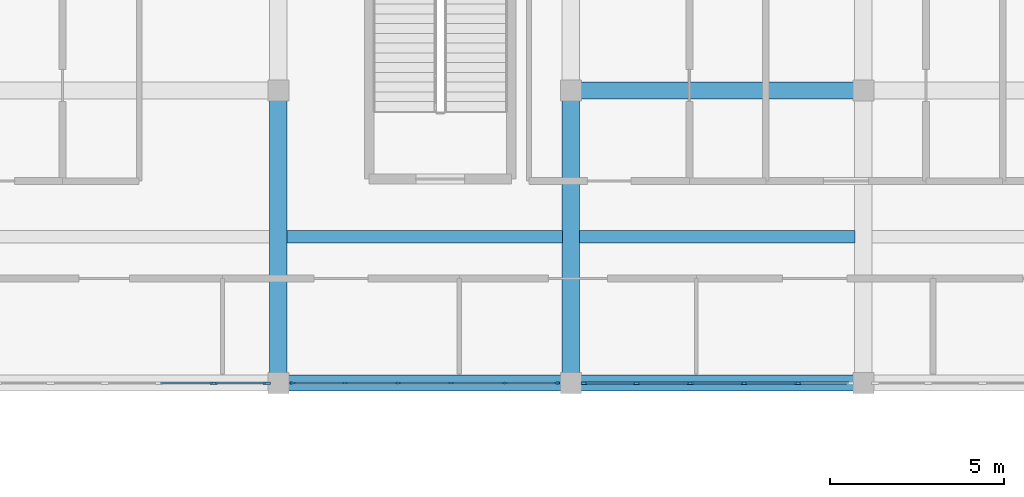
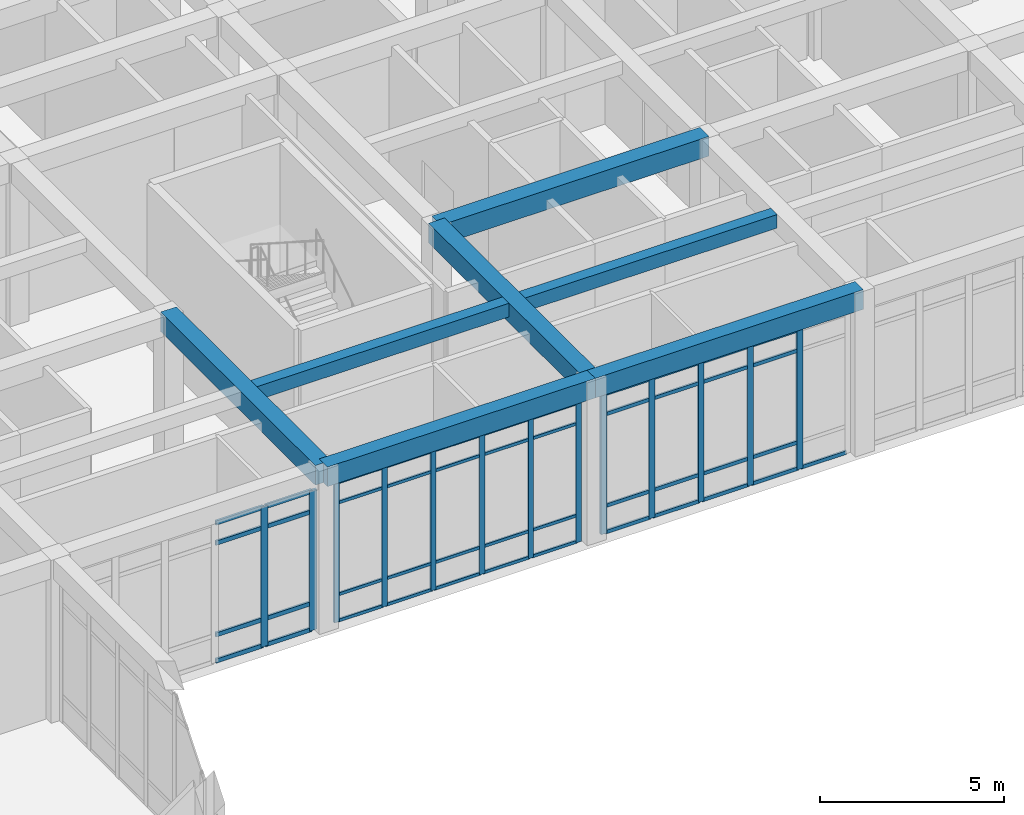
# One storey, part 20 of 89: 58 members, 7 beams, 3 elements without a shape of their own.
"""IFC4 building model written with IfcOpenShell, lengths in metres."""

from ifc_helpers import new_model, si_unit, direction, frame, origin, origin_2d, place, context, subcontext, project, spatial, rectangle, extrude, material, material_profile, profile_set, type_object, element, aggregate, save


model = new_model("IFC4")

# Units and contexts
model_context = context("Model", 3, precision=1e-05, world=origin(), true_north=direction((0.0, 1.0)))
body_context = subcontext(model_context, "Body", "Model", "MODEL_VIEW")
ifc_project = project(units=[si_unit("LENGTHUNIT", "METRE"), si_unit("AREAUNIT", "SQUARE_METRE"), si_unit("VOLUMEUNIT", "CUBIC_METRE"), si_unit("PLANEANGLEUNIT", "RADIAN"), si_unit("MASSUNIT", "GRAM", prefix="KILO")], contexts=[model_context])

# Site, building, storey
site_placement = place(None, origin())
site = spatial("IfcSite", under=ifc_project, at=site_placement, CompositionType="ELEMENT")
building_placement = place(site_placement, origin())
building = spatial("IfcBuilding", under=site, at=building_placement, Name="Varncliffe General Hospital", CompositionType="ELEMENT")
storey_placement = place(building_placement, frame((0.0, 0.0, 10.800048828125)))
storey = spatial("IfcBuildingStorey", under=building, at=storey_placement, Name="L02", CompositionType="ELEMENT", Elevation=10.800048828125)

# Beams
ifc_material_1 = material(Name="Concrete C35/45 (CSA A23.1 35 MPa)", Category="concrete")
ifc_material_profile_1 = material_profile(ifc_material_1, rectangle(XDim=0.5, YDim=0.64990234375, at=origin_2d()), Name="RC 500x650")
ifc_profile_set_1 = profile_set([ifc_material_profile_1], Name="Concrete C35/45 (CSA A23.1 35 MPa)")
beam_type_1 = type_object("IfcBeamType", Name="Beam B29 (Int RC 500x650)", PredefinedType="BEAM", material=ifc_profile_set_1)
for number, where, z_axis, x_axis, name in (
    (1, (42.0, 91.199951171875, 5.074951171875), (1.0, 0.0, 0.0), (0.0, 1.0, 0.0), "L02 Primary Beam B29-118"),
    (2, (33.60009765625, 82.800048828125, 5.074951171875), (0.0, 1.0, 0.0), (-1.0, 0.0, 0.0), "L02 Primary Beam B29-287"),
    (3, (42.0, 82.800048828125, 5.074951171875), (0.0, 1.0, 0.0), (-1.0, 0.0, 0.0), "L02 Primary Beam B29-294"),
):
    element("IfcBeam", number, at=place(storey_placement, frame(where, z_axis=z_axis, x_axis=x_axis)), inside=storey, type_object=beam_type_1, Name=name, PredefinedType="BEAM", context=body_context, shape_type="SweptSolid", body=[
        extrude(rectangle(XDim=0.5, YDim=0.64990234375, at=origin_2d()), origin(), (0.0, 0.0, 1.0), 8.39990234375),
    ])

# Curtain wall, members
ifc_material_2 = material(Name="Triple low-E argon insulated vision glazing", Category="glass")
curtain_wall_type_1 = type_object("IfcCurtainWallType", Name="Unitised Glazed Curtain Wall CW70 (7724x4640)", PredefinedType="USERDEFINED", material=ifc_material_2)
curtain_wall_1_placement = place(storey_placement, origin())
curtain_wall_1 = element("IfcCurtainWall", 4, at=curtain_wall_1_placement, inside=storey, type_object=curtain_wall_type_1, Name="L02 Glazed Curtain Wall CW70-145", ObjectType="GLAZED CURTAIN WALL", PredefinedType="USERDEFINED")
ifc_material_3 = material(Name="Dark bronze thermally broken aluminium framing", Category="aluminium")
ifc_material_profile_2 = material_profile(ifc_material_3, rectangle(XDim=0.074951171875, YDim=0.179931640625, at=origin_2d()), Name="ALU 75x180")
ifc_profile_set_2 = profile_set([ifc_material_profile_2], Name="Dark bronze thermally broken aluminium framing")
member_type_1 = type_object("IfcMemberType", Name="Curtain Wall Mullion CM44 (ALU 75x180)", PredefinedType="MULLION", material=ifc_profile_set_2)
member_1_placement = place(storey_placement, frame((48.51708984375, 82.800048828125, 0.0), z_axis=(0.0, 0.0, 1.0), x_axis=(0.0, -1.0, 0.0)))
member_1 = element("IfcMember", 5, at=member_1_placement, type_object=member_type_1, Name="CW70 mullion 2", PredefinedType="MULLION", context=body_context, shape_type="SweptSolid", body=[
    extrude(rectangle(XDim=0.074951171875, YDim=0.179931640625, at=origin_2d()), origin(), (0.0, 0.0, 1.0), 4.639892578125),
])
member_2_placement = place(storey_placement, frame((46.972412109375, 82.800048828125, 0.0), z_axis=(0.0, 0.0, 1.0), x_axis=(0.0, -1.0, 0.0)))
member_2 = element("IfcMember", 6, at=member_2_placement, type_object=member_type_1, Name="CW70 mullion 3", PredefinedType="MULLION", context=body_context, shape_type="SweptSolid", body=[
    extrude(rectangle(XDim=0.074951171875, YDim=0.179931640625, at=origin_2d()), origin(), (0.0, 0.0, 1.0), 4.639892578125),
])
member_3_placement = place(storey_placement, frame((45.427490234375, 82.800048828125, 0.0), z_axis=(0.0, 0.0, 1.0), x_axis=(0.0, -1.0, 0.0)))
member_3 = element("IfcMember", 7, at=member_3_placement, type_object=member_type_1, Name="CW70 mullion 4", PredefinedType="MULLION", context=body_context, shape_type="SweptSolid", body=[
    extrude(rectangle(XDim=0.074951171875, YDim=0.179931640625, at=origin_2d()), origin(), (0.0, 0.0, 1.0), 4.639892578125),
])
member_4_placement = place(storey_placement, frame((43.8828125, 82.800048828125, 0.0), z_axis=(0.0, 0.0, 1.0), x_axis=(0.0, -1.0, 0.0)))
member_4 = element("IfcMember", 8, at=member_4_placement, type_object=member_type_1, Name="CW70 mullion 5", PredefinedType="MULLION", context=body_context, shape_type="SweptSolid", body=[
    extrude(rectangle(XDim=0.074951171875, YDim=0.179931640625, at=origin_2d()), origin(), (0.0, 0.0, 1.0), 4.639892578125),
])
member_5_placement = place(storey_placement, frame((42.37548828125, 82.800048828125, 0.0), z_axis=(0.0, 0.0, 1.0), x_axis=(0.0, -1.0, 0.0)))
member_5 = element("IfcMember", 9, at=member_5_placement, type_object=member_type_1, Name="CW70 mullion 6", PredefinedType="MULLION", context=body_context, shape_type="SweptSolid", body=[
    extrude(rectangle(XDim=0.074951171875, YDim=0.179931640625, at=origin_2d()), origin(), (0.0, 0.0, 1.0), 4.639892578125),
])

curtain_wall_type_2 = type_object("IfcCurtainWallType", Name="Unitised Glazed Curtain Wall CW27 (7644x4640)", PredefinedType="USERDEFINED", material=ifc_material_2)
curtain_wall_2_placement = place(storey_placement, origin())
curtain_wall_2 = element("IfcCurtainWall", 10, at=curtain_wall_2_placement, inside=storey, type_object=curtain_wall_type_2, Name="L02 Glazed Curtain Wall CW27-146", ObjectType="GLAZED CURTAIN WALL", PredefinedType="USERDEFINED")
ifc_material_profile_3 = material_profile(ifc_material_3, rectangle(XDim=0.06494140625, YDim=0.159912109375, at=origin_2d()), Name="ALU 65x160")
ifc_profile_set_3 = profile_set([ifc_material_profile_3], Name="Dark bronze thermally broken aluminium framing")
member_type_2 = type_object("IfcMemberType", Name="Curtain Wall Mullion CM65 (ALU 65x160)", PredefinedType="MULLION", material=ifc_profile_set_3)
member_6_placement = place(storey_placement, frame((41.589599609375, 82.800048828125, 0.0), z_axis=(0.0, 0.0, 1.0), x_axis=(0.0, -1.0, 0.0)))
member_6 = element("IfcMember", 11, at=member_6_placement, type_object=member_type_2, Name="CW27 mullion 1", PredefinedType="MULLION", context=body_context, shape_type="SweptSolid", body=[
    extrude(rectangle(XDim=0.06494140625, YDim=0.159912109375, at=origin_2d()), origin(), (0.0, 0.0, 1.0), 4.639892578125),
])
member_7_placement = place(storey_placement, frame((40.09326171875, 82.800048828125, 0.0), z_axis=(0.0, 0.0, 1.0), x_axis=(0.0, -1.0, 0.0)))
member_7 = element("IfcMember", 12, at=member_7_placement, type_object=member_type_2, Name="CW27 mullion 2", PredefinedType="MULLION", context=body_context, shape_type="SweptSolid", body=[
    extrude(rectangle(XDim=0.06494140625, YDim=0.159912109375, at=origin_2d()), origin(), (0.0, 0.0, 1.0), 4.639892578125),
])
member_8_placement = place(storey_placement, frame((38.564453125, 82.800048828125, 0.0), z_axis=(0.0, 0.0, 1.0), x_axis=(0.0, -1.0, 0.0)))
member_8 = element("IfcMember", 13, at=member_8_placement, type_object=member_type_2, Name="CW27 mullion 3", PredefinedType="MULLION", context=body_context, shape_type="SweptSolid", body=[
    extrude(rectangle(XDim=0.06494140625, YDim=0.159912109375, at=origin_2d()), origin(), (0.0, 0.0, 1.0), 4.639892578125),
])
member_9_placement = place(storey_placement, frame((37.03564453125, 82.800048828125, 0.0), z_axis=(0.0, 0.0, 1.0), x_axis=(0.0, -1.0, 0.0)))
member_9 = element("IfcMember", 14, at=member_9_placement, type_object=member_type_2, Name="CW27 mullion 4", PredefinedType="MULLION", context=body_context, shape_type="SweptSolid", body=[
    extrude(rectangle(XDim=0.06494140625, YDim=0.159912109375, at=origin_2d()), origin(), (0.0, 0.0, 1.0), 4.639892578125),
])
member_10_placement = place(storey_placement, frame((35.5068359375, 82.800048828125, 0.0), z_axis=(0.0, 0.0, 1.0), x_axis=(0.0, -1.0, 0.0)))
member_10 = element("IfcMember", 15, at=member_10_placement, type_object=member_type_2, Name="CW27 mullion 5", PredefinedType="MULLION", context=body_context, shape_type="SweptSolid", body=[
    extrude(rectangle(XDim=0.06494140625, YDim=0.159912109375, at=origin_2d()), origin(), (0.0, 0.0, 1.0), 4.639892578125),
])
member_11_placement = place(storey_placement, frame((34.010498046875, 82.800048828125, 0.0), z_axis=(0.0, 0.0, 1.0), x_axis=(0.0, -1.0, 0.0)))
member_11 = element("IfcMember", 16, at=member_11_placement, type_object=member_type_2, Name="CW27 mullion 6", PredefinedType="MULLION", context=body_context, shape_type="SweptSolid", body=[
    extrude(rectangle(XDim=0.06494140625, YDim=0.159912109375, at=origin_2d()), origin(), (0.0, 0.0, 1.0), 4.639892578125),
])

curtain_wall_type_3 = type_object("IfcCurtainWallType", Name="Unitised Glazed Curtain Wall CW85 (7804x4640)", PredefinedType="USERDEFINED", material=ifc_material_2)
curtain_wall_3_placement = place(storey_placement, origin())
curtain_wall_3 = element("IfcCurtainWall", 17, at=curtain_wall_3_placement, inside=storey, type_object=curtain_wall_type_3, Name="L02 Glazed Curtain Wall CW85-147", ObjectType="GLAZED CURTAIN WALL", PredefinedType="USERDEFINED")
ifc_material_profile_4 = material_profile(ifc_material_3, rectangle(XDim=0.074951171875, YDim=0.219970703125, at=origin_2d()), Name="ALU 75x220")
ifc_profile_set_4 = profile_set([ifc_material_profile_4], Name="Dark bronze thermally broken aluminium framing")
member_type_3 = type_object("IfcMemberType", Name="Curtain Wall Mullion CM74 (ALU 75x220)", PredefinedType="MULLION", material=ifc_profile_set_4)
member_12_placement = place(storey_placement, frame((33.264404296875, 82.800048828125, 0.0), z_axis=(0.0, 0.0, 1.0), x_axis=(0.0, -1.0, 0.0)))
member_12 = element("IfcMember", 18, at=member_12_placement, type_object=member_type_3, Name="CW85 mullion 1", PredefinedType="MULLION", context=body_context, shape_type="SweptSolid", body=[
    extrude(rectangle(XDim=0.074951171875, YDim=0.219970703125, at=origin_2d()), origin(), (0.0, 0.0, 1.0), 4.639892578125),
])
member_13_placement = place(storey_placement, frame((31.7412109375, 82.800048828125, 0.0), z_axis=(0.0, 0.0, 1.0), x_axis=(0.0, -1.0, 0.0)))
member_13 = element("IfcMember", 19, at=member_13_placement, type_object=member_type_3, Name="CW85 mullion 2", PredefinedType="MULLION", context=body_context, shape_type="SweptSolid", body=[
    extrude(rectangle(XDim=0.074951171875, YDim=0.219970703125, at=origin_2d()), origin(), (0.0, 0.0, 1.0), 4.639892578125),
])

# Member
ifc_material_profile_5 = material_profile(ifc_material_3, rectangle(XDim=0.06005859375, YDim=0.1201171875, at=origin_2d()), Name="ALU 60x120")
ifc_profile_set_5 = profile_set([ifc_material_profile_5], Name="Dark bronze thermally broken aluminium framing")
member_type_4 = type_object("IfcMemberType", Name="Curtain Wall Transom CT14 (ALU 60x120)", PredefinedType="USERDEFINED", material=ifc_profile_set_5)
member_14_placement = place(storey_placement, frame((49.987060546875, 82.800048828125, 0.030029296875), z_axis=(-1.0, 0.0, 0.0), x_axis=(0.0, -1.0, 0.0)))
member_14 = element("IfcMember", 20, at=member_14_placement, type_object=member_type_4, Name="CW70 transom 1.1", ObjectType="TRANSOM", PredefinedType="USERDEFINED", context=body_context, shape_type="SweptSolid", body=[
    extrude(rectangle(XDim=0.06005859375, YDim=0.1201171875, at=origin_2d()), origin(), (0.0, 0.0, 1.0), 1.432373046875),
])

member_15_placement = place(storey_placement, frame((48.479736328125, 82.800048828125, 0.030029296875), z_axis=(-1.0, 0.0, 0.0), x_axis=(0.0, -1.0, 0.0)))
member_15 = element("IfcMember", 21, at=member_15_placement, type_object=member_type_4, Name="CW70 transom 2.1", ObjectType="TRANSOM", PredefinedType="USERDEFINED", context=body_context, shape_type="SweptSolid", body=[
    extrude(rectangle(XDim=0.06005859375, YDim=0.1201171875, at=origin_2d()), origin(), (0.0, 0.0, 1.0), 1.4697265625),
])

member_16_placement = place(storey_placement, frame((48.479736328125, 82.800048828125, 0.89990234375), z_axis=(-1.0, 0.0, 0.0), x_axis=(0.0, -1.0, 0.0)))
member_16 = element("IfcMember", 22, at=member_16_placement, type_object=member_type_4, Name="CW70 transom 2.2", ObjectType="TRANSOM", PredefinedType="USERDEFINED", context=body_context, shape_type="SweptSolid", body=[
    extrude(rectangle(XDim=0.06005859375, YDim=0.1201171875, at=origin_2d()), origin(), (0.0, 0.0, 1.0), 1.4697265625),
])

member_17_placement = place(storey_placement, frame((48.479736328125, 82.800048828125, 3.93994140625), z_axis=(-1.0, 0.0, 0.0), x_axis=(0.0, -1.0, 0.0)))
member_17 = element("IfcMember", 23, at=member_17_placement, type_object=member_type_4, Name="CW70 transom 2.3", ObjectType="TRANSOM", PredefinedType="USERDEFINED", context=body_context, shape_type="SweptSolid", body=[
    extrude(rectangle(XDim=0.06005859375, YDim=0.1201171875, at=origin_2d()), origin(), (0.0, 0.0, 1.0), 1.4697265625),
])

member_18_placement = place(storey_placement, frame((48.479736328125, 82.800048828125, 4.60986328125), z_axis=(-1.0, 0.0, 0.0), x_axis=(0.0, -1.0, 0.0)))
member_18 = element("IfcMember", 24, at=member_18_placement, type_object=member_type_4, Name="CW70 transom 2.4", ObjectType="TRANSOM", PredefinedType="USERDEFINED", context=body_context, shape_type="SweptSolid", body=[
    extrude(rectangle(XDim=0.06005859375, YDim=0.1201171875, at=origin_2d()), origin(), (0.0, 0.0, 1.0), 1.4697265625),
])

member_19_placement = place(storey_placement, frame((46.934814453125, 82.800048828125, 0.030029296875), z_axis=(-1.0, 0.0, 0.0), x_axis=(0.0, -1.0, 0.0)))
member_19 = element("IfcMember", 25, at=member_19_placement, type_object=member_type_4, Name="CW70 transom 3.1", ObjectType="TRANSOM", PredefinedType="USERDEFINED", context=body_context, shape_type="SweptSolid", body=[
    extrude(rectangle(XDim=0.06005859375, YDim=0.1201171875, at=origin_2d()), origin(), (0.0, 0.0, 1.0), 1.4697265625),
])

member_20_placement = place(storey_placement, frame((46.934814453125, 82.800048828125, 0.89990234375), z_axis=(-1.0, 0.0, 0.0), x_axis=(0.0, -1.0, 0.0)))
member_20 = element("IfcMember", 26, at=member_20_placement, type_object=member_type_4, Name="CW70 transom 3.2", ObjectType="TRANSOM", PredefinedType="USERDEFINED", context=body_context, shape_type="SweptSolid", body=[
    extrude(rectangle(XDim=0.06005859375, YDim=0.1201171875, at=origin_2d()), origin(), (0.0, 0.0, 1.0), 1.4697265625),
])

member_21_placement = place(storey_placement, frame((46.934814453125, 82.800048828125, 3.93994140625), z_axis=(-1.0, 0.0, 0.0), x_axis=(0.0, -1.0, 0.0)))
member_21 = element("IfcMember", 27, at=member_21_placement, type_object=member_type_4, Name="CW70 transom 3.3", ObjectType="TRANSOM", PredefinedType="USERDEFINED", context=body_context, shape_type="SweptSolid", body=[
    extrude(rectangle(XDim=0.06005859375, YDim=0.1201171875, at=origin_2d()), origin(), (0.0, 0.0, 1.0), 1.4697265625),
])

member_22_placement = place(storey_placement, frame((46.934814453125, 82.800048828125, 4.60986328125), z_axis=(-1.0, 0.0, 0.0), x_axis=(0.0, -1.0, 0.0)))
member_22 = element("IfcMember", 28, at=member_22_placement, type_object=member_type_4, Name="CW70 transom 3.4", ObjectType="TRANSOM", PredefinedType="USERDEFINED", context=body_context, shape_type="SweptSolid", body=[
    extrude(rectangle(XDim=0.06005859375, YDim=0.1201171875, at=origin_2d()), origin(), (0.0, 0.0, 1.0), 1.4697265625),
])

member_23_placement = place(storey_placement, frame((45.39013671875, 82.800048828125, 0.030029296875), z_axis=(-1.0, 0.0, 0.0), x_axis=(0.0, -1.0, 0.0)))
member_23 = element("IfcMember", 29, at=member_23_placement, type_object=member_type_4, Name="CW70 transom 4.1", ObjectType="TRANSOM", PredefinedType="USERDEFINED", context=body_context, shape_type="SweptSolid", body=[
    extrude(rectangle(XDim=0.06005859375, YDim=0.1201171875, at=origin_2d()), origin(), (0.0, 0.0, 1.0), 1.4697265625),
])

member_24_placement = place(storey_placement, frame((45.39013671875, 82.800048828125, 0.89990234375), z_axis=(-1.0, 0.0, 0.0), x_axis=(0.0, -1.0, 0.0)))
member_24 = element("IfcMember", 30, at=member_24_placement, type_object=member_type_4, Name="CW70 transom 4.2", ObjectType="TRANSOM", PredefinedType="USERDEFINED", context=body_context, shape_type="SweptSolid", body=[
    extrude(rectangle(XDim=0.06005859375, YDim=0.1201171875, at=origin_2d()), origin(), (0.0, 0.0, 1.0), 1.4697265625),
])

member_25_placement = place(storey_placement, frame((45.39013671875, 82.800048828125, 3.93994140625), z_axis=(-1.0, 0.0, 0.0), x_axis=(0.0, -1.0, 0.0)))
member_25 = element("IfcMember", 31, at=member_25_placement, type_object=member_type_4, Name="CW70 transom 4.3", ObjectType="TRANSOM", PredefinedType="USERDEFINED", context=body_context, shape_type="SweptSolid", body=[
    extrude(rectangle(XDim=0.06005859375, YDim=0.1201171875, at=origin_2d()), origin(), (0.0, 0.0, 1.0), 1.4697265625),
])

member_26_placement = place(storey_placement, frame((45.39013671875, 82.800048828125, 4.60986328125), z_axis=(-1.0, 0.0, 0.0), x_axis=(0.0, -1.0, 0.0)))
member_26 = element("IfcMember", 32, at=member_26_placement, type_object=member_type_4, Name="CW70 transom 4.4", ObjectType="TRANSOM", PredefinedType="USERDEFINED", context=body_context, shape_type="SweptSolid", body=[
    extrude(rectangle(XDim=0.06005859375, YDim=0.1201171875, at=origin_2d()), origin(), (0.0, 0.0, 1.0), 1.4697265625),
])

member_27_placement = place(storey_placement, frame((43.84521484375, 82.800048828125, 0.030029296875), z_axis=(-1.0, 0.0, 0.0), x_axis=(0.0, -1.0, 0.0)))
member_27 = element("IfcMember", 33, at=member_27_placement, type_object=member_type_4, Name="CW70 transom 5.1", ObjectType="TRANSOM", PredefinedType="USERDEFINED", context=body_context, shape_type="SweptSolid", body=[
    extrude(rectangle(XDim=0.06005859375, YDim=0.1201171875, at=origin_2d()), origin(), (0.0, 0.0, 1.0), 1.43212890625),
])

member_28_placement = place(storey_placement, frame((43.84521484375, 82.800048828125, 0.89990234375), z_axis=(-1.0, 0.0, 0.0), x_axis=(0.0, -1.0, 0.0)))
member_28 = element("IfcMember", 34, at=member_28_placement, type_object=member_type_4, Name="CW70 transom 5.2", ObjectType="TRANSOM", PredefinedType="USERDEFINED", context=body_context, shape_type="SweptSolid", body=[
    extrude(rectangle(XDim=0.06005859375, YDim=0.1201171875, at=origin_2d()), origin(), (0.0, 0.0, 1.0), 1.43212890625),
])

member_29_placement = place(storey_placement, frame((43.84521484375, 82.800048828125, 3.93994140625), z_axis=(-1.0, 0.0, 0.0), x_axis=(0.0, -1.0, 0.0)))
member_29 = element("IfcMember", 35, at=member_29_placement, type_object=member_type_4, Name="CW70 transom 5.3", ObjectType="TRANSOM", PredefinedType="USERDEFINED", context=body_context, shape_type="SweptSolid", body=[
    extrude(rectangle(XDim=0.06005859375, YDim=0.1201171875, at=origin_2d()), origin(), (0.0, 0.0, 1.0), 1.43212890625),
])

member_30_placement = place(storey_placement, frame((43.84521484375, 82.800048828125, 4.60986328125), z_axis=(-1.0, 0.0, 0.0), x_axis=(0.0, -1.0, 0.0)))
member_30 = element("IfcMember", 36, at=member_30_placement, type_object=member_type_4, Name="CW70 transom 5.4", ObjectType="TRANSOM", PredefinedType="USERDEFINED", context=body_context, shape_type="SweptSolid", body=[
    extrude(rectangle(XDim=0.06005859375, YDim=0.1201171875, at=origin_2d()), origin(), (0.0, 0.0, 1.0), 1.43212890625),
])

aggregate(curtain_wall_1, [member_1, member_2, member_3, member_4, member_5, member_14, member_15, member_16, member_17, member_18, member_19, member_20, member_21, member_22, member_23, member_24, member_25, member_26, member_27, member_28, member_29, member_30])

ifc_material_profile_6 = material_profile(ifc_material_3, rectangle(XDim=0.06005859375, YDim=0.10009765625, at=origin_2d()), Name="ALU 60x100")
ifc_profile_set_6 = profile_set([ifc_material_profile_6], Name="Dark bronze thermally broken aluminium framing")
member_type_5 = type_object("IfcMemberType", Name="Curtain Wall Transom CT18 (ALU 60x100)", PredefinedType="USERDEFINED", material=ifc_profile_set_6)
member_31_placement = place(storey_placement, frame((41.556884765625, 82.800048828125, 0.030029296875), z_axis=(-1.0, 0.0, 0.0), x_axis=(0.0, -1.0, 0.0)))
member_31 = element("IfcMember", 37, at=member_31_placement, type_object=member_type_5, Name="CW27 transom 1.1", ObjectType="TRANSOM", PredefinedType="USERDEFINED", context=body_context, shape_type="SweptSolid", body=[
    extrude(rectangle(XDim=0.06005859375, YDim=0.10009765625, at=origin_2d()), origin(), (0.0, 0.0, 1.0), 1.43115234375),
])

member_32_placement = place(storey_placement, frame((41.556884765625, 82.800048828125, 0.89990234375), z_axis=(-1.0, 0.0, 0.0), x_axis=(0.0, -1.0, 0.0)))
member_32 = element("IfcMember", 38, at=member_32_placement, type_object=member_type_5, Name="CW27 transom 1.2", ObjectType="TRANSOM", PredefinedType="USERDEFINED", context=body_context, shape_type="SweptSolid", body=[
    extrude(rectangle(XDim=0.06005859375, YDim=0.10009765625, at=origin_2d()), origin(), (0.0, 0.0, 1.0), 1.43115234375),
])

member_33_placement = place(storey_placement, frame((41.556884765625, 82.800048828125, 3.93994140625), z_axis=(-1.0, 0.0, 0.0), x_axis=(0.0, -1.0, 0.0)))
member_33 = element("IfcMember", 39, at=member_33_placement, type_object=member_type_5, Name="CW27 transom 1.3", ObjectType="TRANSOM", PredefinedType="USERDEFINED", context=body_context, shape_type="SweptSolid", body=[
    extrude(rectangle(XDim=0.06005859375, YDim=0.10009765625, at=origin_2d()), origin(), (0.0, 0.0, 1.0), 1.43115234375),
])

member_34_placement = place(storey_placement, frame((41.556884765625, 82.800048828125, 4.60986328125), z_axis=(-1.0, 0.0, 0.0), x_axis=(0.0, -1.0, 0.0)))
member_34 = element("IfcMember", 40, at=member_34_placement, type_object=member_type_5, Name="CW27 transom 1.4", ObjectType="TRANSOM", PredefinedType="USERDEFINED", context=body_context, shape_type="SweptSolid", body=[
    extrude(rectangle(XDim=0.06005859375, YDim=0.10009765625, at=origin_2d()), origin(), (0.0, 0.0, 1.0), 1.43115234375),
])

member_35_placement = place(storey_placement, frame((40.060791015625, 82.800048828125, 0.030029296875), z_axis=(-1.0, 0.0, 0.0), x_axis=(0.0, -1.0, 0.0)))
member_35 = element("IfcMember", 41, at=member_35_placement, type_object=member_type_5, Name="CW27 transom 2.1", ObjectType="TRANSOM", PredefinedType="USERDEFINED", context=body_context, shape_type="SweptSolid", body=[
    extrude(rectangle(XDim=0.06005859375, YDim=0.10009765625, at=origin_2d()), origin(), (0.0, 0.0, 1.0), 1.4638671875),
])

member_36_placement = place(storey_placement, frame((40.060791015625, 82.800048828125, 0.89990234375), z_axis=(-1.0, 0.0, 0.0), x_axis=(0.0, -1.0, 0.0)))
member_36 = element("IfcMember", 42, at=member_36_placement, type_object=member_type_5, Name="CW27 transom 2.2", ObjectType="TRANSOM", PredefinedType="USERDEFINED", context=body_context, shape_type="SweptSolid", body=[
    extrude(rectangle(XDim=0.06005859375, YDim=0.10009765625, at=origin_2d()), origin(), (0.0, 0.0, 1.0), 1.4638671875),
])

member_37_placement = place(storey_placement, frame((40.060791015625, 82.800048828125, 3.93994140625), z_axis=(-1.0, 0.0, 0.0), x_axis=(0.0, -1.0, 0.0)))
member_37 = element("IfcMember", 43, at=member_37_placement, type_object=member_type_5, Name="CW27 transom 2.3", ObjectType="TRANSOM", PredefinedType="USERDEFINED", context=body_context, shape_type="SweptSolid", body=[
    extrude(rectangle(XDim=0.06005859375, YDim=0.10009765625, at=origin_2d()), origin(), (0.0, 0.0, 1.0), 1.4638671875),
])

member_38_placement = place(storey_placement, frame((40.060791015625, 82.800048828125, 4.60986328125), z_axis=(-1.0, 0.0, 0.0), x_axis=(0.0, -1.0, 0.0)))
member_38 = element("IfcMember", 44, at=member_38_placement, type_object=member_type_5, Name="CW27 transom 2.4", ObjectType="TRANSOM", PredefinedType="USERDEFINED", context=body_context, shape_type="SweptSolid", body=[
    extrude(rectangle(XDim=0.06005859375, YDim=0.10009765625, at=origin_2d()), origin(), (0.0, 0.0, 1.0), 1.4638671875),
])

member_39_placement = place(storey_placement, frame((38.531982421875, 82.800048828125, 0.030029296875), z_axis=(-1.0, 0.0, 0.0), x_axis=(0.0, -1.0, 0.0)))
member_39 = element("IfcMember", 45, at=member_39_placement, type_object=member_type_5, Name="CW27 transom 3.1", ObjectType="TRANSOM", PredefinedType="USERDEFINED", context=body_context, shape_type="SweptSolid", body=[
    extrude(rectangle(XDim=0.06005859375, YDim=0.10009765625, at=origin_2d()), origin(), (0.0, 0.0, 1.0), 1.4638671875),
])

member_40_placement = place(storey_placement, frame((38.531982421875, 82.800048828125, 0.89990234375), z_axis=(-1.0, 0.0, 0.0), x_axis=(0.0, -1.0, 0.0)))
member_40 = element("IfcMember", 46, at=member_40_placement, type_object=member_type_5, Name="CW27 transom 3.2", ObjectType="TRANSOM", PredefinedType="USERDEFINED", context=body_context, shape_type="SweptSolid", body=[
    extrude(rectangle(XDim=0.06005859375, YDim=0.10009765625, at=origin_2d()), origin(), (0.0, 0.0, 1.0), 1.4638671875),
])

member_41_placement = place(storey_placement, frame((38.531982421875, 82.800048828125, 3.93994140625), z_axis=(-1.0, 0.0, 0.0), x_axis=(0.0, -1.0, 0.0)))
member_41 = element("IfcMember", 47, at=member_41_placement, type_object=member_type_5, Name="CW27 transom 3.3", ObjectType="TRANSOM", PredefinedType="USERDEFINED", context=body_context, shape_type="SweptSolid", body=[
    extrude(rectangle(XDim=0.06005859375, YDim=0.10009765625, at=origin_2d()), origin(), (0.0, 0.0, 1.0), 1.4638671875),
])

member_42_placement = place(storey_placement, frame((38.531982421875, 82.800048828125, 4.60986328125), z_axis=(-1.0, 0.0, 0.0), x_axis=(0.0, -1.0, 0.0)))
member_42 = element("IfcMember", 48, at=member_42_placement, type_object=member_type_5, Name="CW27 transom 3.4", ObjectType="TRANSOM", PredefinedType="USERDEFINED", context=body_context, shape_type="SweptSolid", body=[
    extrude(rectangle(XDim=0.06005859375, YDim=0.10009765625, at=origin_2d()), origin(), (0.0, 0.0, 1.0), 1.4638671875),
])

member_43_placement = place(storey_placement, frame((37.003173828125, 82.800048828125, 0.030029296875), z_axis=(-1.0, 0.0, 0.0), x_axis=(0.0, -1.0, 0.0)))
member_43 = element("IfcMember", 49, at=member_43_placement, type_object=member_type_5, Name="CW27 transom 4.1", ObjectType="TRANSOM", PredefinedType="USERDEFINED", context=body_context, shape_type="SweptSolid", body=[
    extrude(rectangle(XDim=0.06005859375, YDim=0.10009765625, at=origin_2d()), origin(), (0.0, 0.0, 1.0), 1.4638671875),
])

member_44_placement = place(storey_placement, frame((37.003173828125, 82.800048828125, 0.89990234375), z_axis=(-1.0, 0.0, 0.0), x_axis=(0.0, -1.0, 0.0)))
member_44 = element("IfcMember", 50, at=member_44_placement, type_object=member_type_5, Name="CW27 transom 4.2", ObjectType="TRANSOM", PredefinedType="USERDEFINED", context=body_context, shape_type="SweptSolid", body=[
    extrude(rectangle(XDim=0.06005859375, YDim=0.10009765625, at=origin_2d()), origin(), (0.0, 0.0, 1.0), 1.4638671875),
])

member_45_placement = place(storey_placement, frame((37.003173828125, 82.800048828125, 3.93994140625), z_axis=(-1.0, 0.0, 0.0), x_axis=(0.0, -1.0, 0.0)))
member_45 = element("IfcMember", 51, at=member_45_placement, type_object=member_type_5, Name="CW27 transom 4.3", ObjectType="TRANSOM", PredefinedType="USERDEFINED", context=body_context, shape_type="SweptSolid", body=[
    extrude(rectangle(XDim=0.06005859375, YDim=0.10009765625, at=origin_2d()), origin(), (0.0, 0.0, 1.0), 1.4638671875),
])

member_46_placement = place(storey_placement, frame((37.003173828125, 82.800048828125, 4.60986328125), z_axis=(-1.0, 0.0, 0.0), x_axis=(0.0, -1.0, 0.0)))
member_46 = element("IfcMember", 52, at=member_46_placement, type_object=member_type_5, Name="CW27 transom 4.4", ObjectType="TRANSOM", PredefinedType="USERDEFINED", context=body_context, shape_type="SweptSolid", body=[
    extrude(rectangle(XDim=0.06005859375, YDim=0.10009765625, at=origin_2d()), origin(), (0.0, 0.0, 1.0), 1.4638671875),
])

member_47_placement = place(storey_placement, frame((35.474365234375, 82.800048828125, 0.030029296875), z_axis=(-1.0, 0.0, 0.0), x_axis=(0.0, -1.0, 0.0)))
member_47 = element("IfcMember", 53, at=member_47_placement, type_object=member_type_5, Name="CW27 transom 5.1", ObjectType="TRANSOM", PredefinedType="USERDEFINED", context=body_context, shape_type="SweptSolid", body=[
    extrude(rectangle(XDim=0.06005859375, YDim=0.10009765625, at=origin_2d()), origin(), (0.0, 0.0, 1.0), 1.431396484375),
])

member_48_placement = place(storey_placement, frame((35.474365234375, 82.800048828125, 0.89990234375), z_axis=(-1.0, 0.0, 0.0), x_axis=(0.0, -1.0, 0.0)))
member_48 = element("IfcMember", 54, at=member_48_placement, type_object=member_type_5, Name="CW27 transom 5.2", ObjectType="TRANSOM", PredefinedType="USERDEFINED", context=body_context, shape_type="SweptSolid", body=[
    extrude(rectangle(XDim=0.06005859375, YDim=0.10009765625, at=origin_2d()), origin(), (0.0, 0.0, 1.0), 1.431396484375),
])

member_49_placement = place(storey_placement, frame((35.474365234375, 82.800048828125, 3.93994140625), z_axis=(-1.0, 0.0, 0.0), x_axis=(0.0, -1.0, 0.0)))
member_49 = element("IfcMember", 55, at=member_49_placement, type_object=member_type_5, Name="CW27 transom 5.3", ObjectType="TRANSOM", PredefinedType="USERDEFINED", context=body_context, shape_type="SweptSolid", body=[
    extrude(rectangle(XDim=0.06005859375, YDim=0.10009765625, at=origin_2d()), origin(), (0.0, 0.0, 1.0), 1.431396484375),
])

member_50_placement = place(storey_placement, frame((35.474365234375, 82.800048828125, 4.60986328125), z_axis=(-1.0, 0.0, 0.0), x_axis=(0.0, -1.0, 0.0)))
member_50 = element("IfcMember", 56, at=member_50_placement, type_object=member_type_5, Name="CW27 transom 5.4", ObjectType="TRANSOM", PredefinedType="USERDEFINED", context=body_context, shape_type="SweptSolid", body=[
    extrude(rectangle(XDim=0.06005859375, YDim=0.10009765625, at=origin_2d()), origin(), (0.0, 0.0, 1.0), 1.431396484375),
])

aggregate(curtain_wall_2, [member_6, member_7, member_8, member_9, member_10, member_11, member_31, member_32, member_33, member_34, member_35, member_36, member_37, member_38, member_39, member_40, member_41, member_42, member_43, member_44, member_45, member_46, member_47, member_48, member_49, member_50])

ifc_material_profile_7 = material_profile(ifc_material_3, rectangle(XDim=0.06494140625, YDim=0.139892578125, at=origin_2d()), Name="ALU 65x140")
ifc_profile_set_7 = profile_set([ifc_material_profile_7], Name="Dark bronze thermally broken aluminium framing")
member_type_6 = type_object("IfcMemberType", Name="Curtain Wall Transom CT69 (ALU 65x140)", PredefinedType="USERDEFINED", material=ifc_profile_set_7)
member_51_placement = place(storey_placement, frame((33.22705078125, 82.800048828125, 0.032470703125), z_axis=(-1.0, 0.0, 0.0), x_axis=(0.0, -1.0, 0.0)))
member_51 = element("IfcMember", 57, at=member_51_placement, type_object=member_type_6, Name="CW85 transom 1.1", ObjectType="TRANSOM", PredefinedType="USERDEFINED", context=body_context, shape_type="SweptSolid", body=[
    extrude(rectangle(XDim=0.06494140625, YDim=0.139892578125, at=origin_2d()), origin(), (0.0, 0.0, 1.0), 1.4482421875),
])

member_52_placement = place(storey_placement, frame((33.22705078125, 82.800048828125, 0.89990234375), z_axis=(-1.0, 0.0, 0.0), x_axis=(0.0, -1.0, 0.0)))
member_52 = element("IfcMember", 58, at=member_52_placement, type_object=member_type_6, Name="CW85 transom 1.2", ObjectType="TRANSOM", PredefinedType="USERDEFINED", context=body_context, shape_type="SweptSolid", body=[
    extrude(rectangle(XDim=0.06494140625, YDim=0.139892578125, at=origin_2d()), origin(), (0.0, 0.0, 1.0), 1.4482421875),
])

member_53_placement = place(storey_placement, frame((33.22705078125, 82.800048828125, 3.93994140625), z_axis=(-1.0, 0.0, 0.0), x_axis=(0.0, -1.0, 0.0)))
member_53 = element("IfcMember", 59, at=member_53_placement, type_object=member_type_6, Name="CW85 transom 1.3", ObjectType="TRANSOM", PredefinedType="USERDEFINED", context=body_context, shape_type="SweptSolid", body=[
    extrude(rectangle(XDim=0.06494140625, YDim=0.139892578125, at=origin_2d()), origin(), (0.0, 0.0, 1.0), 1.4482421875),
])

member_54_placement = place(storey_placement, frame((33.22705078125, 82.800048828125, 4.607421875), z_axis=(-1.0, 0.0, 0.0), x_axis=(0.0, -1.0, 0.0)))
member_54 = element("IfcMember", 60, at=member_54_placement, type_object=member_type_6, Name="CW85 transom 1.4", ObjectType="TRANSOM", PredefinedType="USERDEFINED", context=body_context, shape_type="SweptSolid", body=[
    extrude(rectangle(XDim=0.06494140625, YDim=0.139892578125, at=origin_2d()), origin(), (0.0, 0.0, 1.0), 1.4482421875),
])

member_55_placement = place(storey_placement, frame((31.70361328125, 82.800048828125, 0.032470703125), z_axis=(-1.0, 0.0, 0.0), x_axis=(0.0, -1.0, 0.0)))
member_55 = element("IfcMember", 61, at=member_55_placement, type_object=member_type_6, Name="CW85 transom 2.1", ObjectType="TRANSOM", PredefinedType="USERDEFINED", context=body_context, shape_type="SweptSolid", body=[
    extrude(rectangle(XDim=0.06494140625, YDim=0.139892578125, at=origin_2d()), origin(), (0.0, 0.0, 1.0), 1.485595703125),
])

member_56_placement = place(storey_placement, frame((31.70361328125, 82.800048828125, 0.89990234375), z_axis=(-1.0, 0.0, 0.0), x_axis=(0.0, -1.0, 0.0)))
member_56 = element("IfcMember", 62, at=member_56_placement, type_object=member_type_6, Name="CW85 transom 2.2", ObjectType="TRANSOM", PredefinedType="USERDEFINED", context=body_context, shape_type="SweptSolid", body=[
    extrude(rectangle(XDim=0.06494140625, YDim=0.139892578125, at=origin_2d()), origin(), (0.0, 0.0, 1.0), 1.485595703125),
])

member_57_placement = place(storey_placement, frame((31.70361328125, 82.800048828125, 3.93994140625), z_axis=(-1.0, 0.0, 0.0), x_axis=(0.0, -1.0, 0.0)))
member_57 = element("IfcMember", 63, at=member_57_placement, type_object=member_type_6, Name="CW85 transom 2.3", ObjectType="TRANSOM", PredefinedType="USERDEFINED", context=body_context, shape_type="SweptSolid", body=[
    extrude(rectangle(XDim=0.06494140625, YDim=0.139892578125, at=origin_2d()), origin(), (0.0, 0.0, 1.0), 1.485595703125),
])

member_58_placement = place(storey_placement, frame((31.70361328125, 82.800048828125, 4.607421875), z_axis=(-1.0, 0.0, 0.0), x_axis=(0.0, -1.0, 0.0)))
member_58 = element("IfcMember", 64, at=member_58_placement, type_object=member_type_6, Name="CW85 transom 2.4", ObjectType="TRANSOM", PredefinedType="USERDEFINED", context=body_context, shape_type="SweptSolid", body=[
    extrude(rectangle(XDim=0.06494140625, YDim=0.139892578125, at=origin_2d()), origin(), (0.0, 0.0, 1.0), 1.485595703125),
])

aggregate(curtain_wall_3, [member_12, member_13, member_51, member_52, member_53, member_54, member_55, member_56, member_57, member_58])

# Beams
ifc_material_profile_8 = material_profile(ifc_material_1, rectangle(XDim=0.35009765625, YDim=0.449951171875, at=origin_2d()), Name="RC 350x450")
ifc_profile_set_8 = profile_set([ifc_material_profile_8], Name="Concrete C35/45 (CSA A23.1 35 MPa)")
beam_type_2 = type_object("IfcBeamType", Name="Joist J55 (Int RC 350x450)", PredefinedType="JOIST", material=ifc_profile_set_8)
for number, where, z_axis, x_axis, name in (
    (65, (33.847900390625, 87.0, 5.175048828125), (1.0, 0.0, 0.0), (0.0, 1.0, 0.0), "L02 Secondary Floor Rib J55-11"),
    (66, (42.248046875, 87.0, 5.175048828125), (1.0, 0.0, 0.0), (0.0, 1.0, 0.0), "L02 Secondary Floor Rib J55-12"),
):
    element("IfcBeam", number, at=place(storey_placement, frame(where, z_axis=z_axis, x_axis=x_axis)), inside=storey, type_object=beam_type_2, Name=name, PredefinedType="JOIST", context=body_context, shape_type="SweptSolid", body=[
        extrude(rectangle(XDim=0.35009765625, YDim=0.449951171875, at=origin_2d()), origin(), (0.0, 0.0, 1.0), 7.904052734375),
    ])
ifc_material_profile_9 = material_profile(ifc_material_1, rectangle(XDim=0.449951171875, YDim=0.64990234375, at=origin_2d()), Name="RC 450x650")
ifc_profile_set_9 = profile_set([ifc_material_profile_9], Name="Concrete C35/45 (CSA A23.1 35 MPa)")
beam_type_3 = type_object("IfcBeamType", Name="Spandrel SP38 (Ext RC 450x650B)", PredefinedType="SPANDREL", material=ifc_profile_set_9)
for number, where, z_axis, x_axis, name in (
    (67, (33.60009765625, 82.800048828125, 5.074951171875), (1.0, 0.0, 0.0), (0.0, 1.0, 0.0), "L02 Spandrel Beam SP38-97"),
    (68, (42.0, 82.800048828125, 5.074951171875), (1.0, 0.0, 0.0), (0.0, 1.0, 0.0), "L02 Spandrel Beam SP38-98"),
):
    element("IfcBeam", number, at=place(storey_placement, frame(where, z_axis=z_axis, x_axis=x_axis)), inside=storey, type_object=beam_type_3, Name=name, PredefinedType="SPANDREL", context=body_context, shape_type="SweptSolid", body=[
        extrude(rectangle(XDim=0.449951171875, YDim=0.64990234375, at=origin_2d()), origin(), (0.0, 0.0, 1.0), 8.39990234375),
    ])

save(model, "model.ifc")
